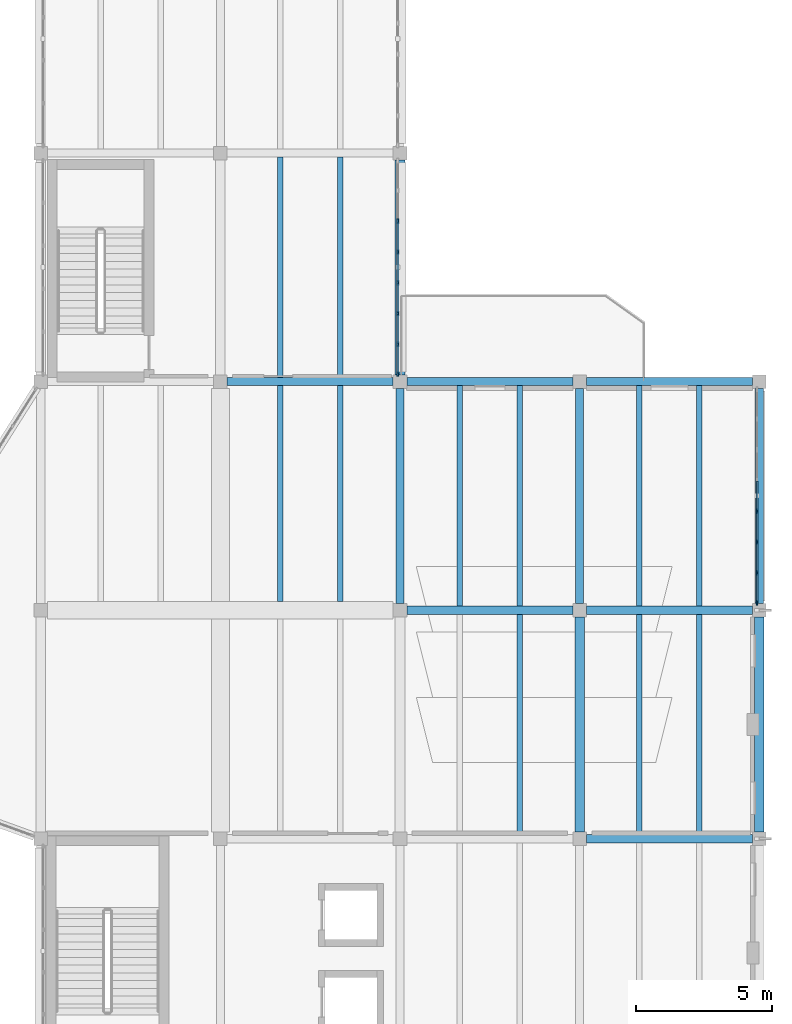
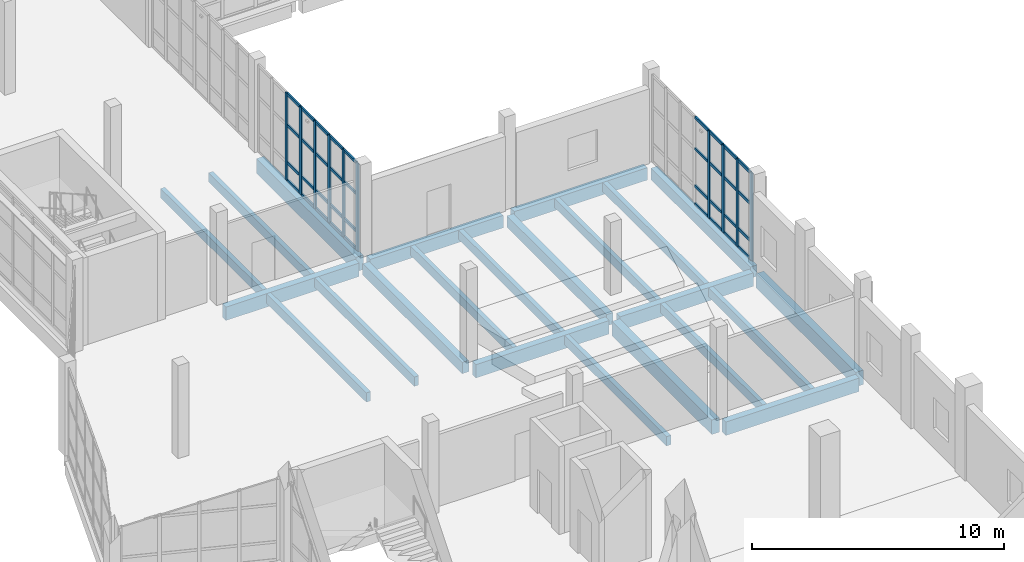
# One storey, part 25 of 76: 46 members, 23 beams, 2 elements without a shape of their own.
"""IFC4 building model written with IfcOpenShell, lengths in metres."""

from ifc_helpers import new_model, si_unit, direction, frame, origin, origin_2d, place, context, subcontext, project, spatial, rectangle, extrude, material, material_profile, profile_set, type_object, element, aggregate, save


model = new_model("IFC4")

# Units and contexts
model_context = context("Model", 3, precision=1e-05, world=origin(), true_north=direction((0.0, 1.0)))
body_context = subcontext(model_context, "Body", "Model", "MODEL_VIEW")
ifc_project = project(units=[si_unit("LENGTHUNIT", "METRE"), si_unit("AREAUNIT", "SQUARE_METRE"), si_unit("VOLUMEUNIT", "CUBIC_METRE"), si_unit("PLANEANGLEUNIT", "RADIAN"), si_unit("MASSUNIT", "GRAM", prefix="KILO")], contexts=[model_context])

# Site, building, storey
site_placement = place(None, origin())
site = spatial("IfcSite", under=ifc_project, at=site_placement, CompositionType="ELEMENT")
building_placement = place(site_placement, origin())
building = spatial("IfcBuilding", under=site, at=building_placement, Name="Qaldarim Faculty of Natural and Applied Sciences", CompositionType="ELEMENT")
storey_placement = place(building_placement, frame((0.0, 0.0, 9.89990234375)))
storey = spatial("IfcBuildingStorey", under=building, at=storey_placement, Name="L02", CompositionType="ELEMENT", Elevation=9.89990234375)

# Beams
ifc_material_1 = material(Name="Concrete C40/50", Category="concrete")
ifc_material_profile_1 = material_profile(ifc_material_1, rectangle(XDim=0.300048828125, YDim=0.550048828125, at=origin_2d()), Name="RC-B300x550")
ifc_profile_set_1 = profile_set([ifc_material_profile_1], Name="Concrete C40/50")
beam_type_1 = type_object("IfcBeamType", Name="FloorBeam-RC300x550", PredefinedType="BEAM", material=ifc_profile_set_1)
for number, where, z_axis, x_axis, name in (
    (1, (165.0, 75.85009765625, -0.574951171875), (0.0, 1.0, 0.0), (-1.0, 0.0, 0.0), "Beam RC-B300x550 L01 X26/Y10-Y11"),
    (2, (171.60009765625, 75.85009765625, -0.574951171875), (0.0, 1.0, 0.0), (-1.0, 0.0, 0.0), "Beam RC-B300x550 L01 X27/Y10-Y11"),
    (3, (178.199951171875, 75.85009765625, -0.574951171875), (0.0, 1.0, 0.0), (-1.0, 0.0, 0.0), "Beam RC-B300x550 L01 X28/Y10-Y11"),
):
    element("IfcBeam", number, at=place(storey_placement, frame(where, z_axis=z_axis, x_axis=x_axis)), inside=storey, type_object=beam_type_1, Name=name, PredefinedType="BEAM", context=body_context, shape_type="SweptSolid", body=[
        extrude(rectangle(XDim=0.300048828125, YDim=0.550048828125, at=origin_2d()), origin(), (0.0, 0.0, 1.0), 7.89990234375),
    ])
ifc_material_profile_2 = material_profile(ifc_material_1, rectangle(XDim=0.199951171875, YDim=0.449951171875, at=origin_2d()), Name="RC-J200x450")
ifc_profile_set_2 = profile_set([ifc_material_profile_2], Name="Concrete C40/50")
beam_type_2 = type_object("IfcBeamType", Name="LabJoist-RC200x450", PredefinedType="JOIST", material=ifc_profile_set_2)
for number, where, z_axis, x_axis, name in (
    (4, (160.60009765625, 75.925048828125, -0.52490234375), (0.0, 1.0, 0.0), (-1.0, 0.0, 0.0), "Laboratory joist L01 bay X25Y10-1"),
    (5, (162.800048828125, 75.925048828125, -0.52490234375), (0.0, 1.0, 0.0), (-1.0, 0.0, 0.0), "Laboratory joist L01 bay X25Y10-2"),
):
    element("IfcBeam", number, at=place(storey_placement, frame(where, z_axis=z_axis, x_axis=x_axis)), inside=storey, type_object=beam_type_2, Name=name, PredefinedType="JOIST", context=body_context, shape_type="SweptSolid", body=[
        extrude(rectangle(XDim=0.199951171875, YDim=0.449951171875, at=origin_2d()), origin(), (0.0, 0.0, 1.0), 7.925048828125),
    ])
for number, where, z_axis, x_axis, name in (
    (6, (160.60009765625, 84.14990234375, -0.52490234375), (0.0, 1.0, 0.0), (-1.0, 0.0, 0.0), "Laboratory joist L01 bay X25Y11-1"),
    (7, (162.800048828125, 84.14990234375, -0.52490234375), (0.0, 1.0, 0.0), (-1.0, 0.0, 0.0), "Laboratory joist L01 bay X25Y11-2"),
):
    element("IfcBeam", number, at=place(storey_placement, frame(where, z_axis=z_axis, x_axis=x_axis)), inside=storey, type_object=beam_type_2, Name=name, PredefinedType="JOIST", context=body_context, shape_type="SweptSolid", body=[
        extrude(rectangle(XDim=0.199951171875, YDim=0.449951171875, at=origin_2d()), origin(), (0.0, 0.0, 1.0), 8.10009765625),
    ])
beam_1_placement = place(storey_placement, frame((169.39990234375, 67.35009765625, -0.52490234375), z_axis=(0.0, 1.0, 0.0), x_axis=(-1.0, 0.0, 0.0)))
element("IfcBeam", 8, at=beam_1_placement, inside=storey, type_object=beam_type_2, Name="Laboratory joist L01 bay X26Y09-2", PredefinedType="JOIST", context=body_context, shape_type="SweptSolid", body=[
    extrude(rectangle(XDim=0.199951171875, YDim=0.449951171875, at=origin_2d()), origin(), (0.0, 0.0, 1.0), 8.099853515625),
])
for number, where, z_axis, x_axis, name in (
    (9, (167.199951171875, 75.75, -0.52490234375), (0.0, 1.0, 0.0), (-1.0, 0.0, 0.0), "Laboratory joist L01 bay X26Y10-1"),
    (10, (169.39990234375, 75.75, -0.52490234375), (0.0, 1.0, 0.0), (-1.0, 0.0, 0.0), "Laboratory joist L01 bay X26Y10-2"),
):
    element("IfcBeam", number, at=place(storey_placement, frame(where, z_axis=z_axis, x_axis=x_axis)), inside=storey, type_object=beam_type_2, Name=name, PredefinedType="JOIST", context=body_context, shape_type="SweptSolid", body=[
        extrude(rectangle(XDim=0.199951171875, YDim=0.449951171875, at=origin_2d()), origin(), (0.0, 0.0, 1.0), 8.10009765625),
    ])
for number, where, z_axis, x_axis, name in (
    (11, (173.800048828125, 67.35009765625, -0.52490234375), (0.0, 1.0, 0.0), (-1.0, 0.0, 0.0), "Laboratory joist L01 bay X27Y09-1"),
    (12, (176.0, 67.35009765625, -0.52490234375), (0.0, 1.0, 0.0), (-1.0, 0.0, 0.0), "Laboratory joist L01 bay X27Y09-2"),
):
    element("IfcBeam", number, at=place(storey_placement, frame(where, z_axis=z_axis, x_axis=x_axis)), inside=storey, type_object=beam_type_2, Name=name, PredefinedType="JOIST", context=body_context, shape_type="SweptSolid", body=[
        extrude(rectangle(XDim=0.199951171875, YDim=0.449951171875, at=origin_2d()), origin(), (0.0, 0.0, 1.0), 8.099853515625),
    ])
for number, where, z_axis, x_axis, name in (
    (13, (173.800048828125, 75.75, -0.52490234375), (0.0, 1.0, 0.0), (-1.0, 0.0, 0.0), "Laboratory joist L01 bay X27Y10-1"),
    (14, (176.0, 75.75, -0.52490234375), (0.0, 1.0, 0.0), (-1.0, 0.0, 0.0), "Laboratory joist L01 bay X27Y10-2"),
):
    element("IfcBeam", number, at=place(storey_placement, frame(where, z_axis=z_axis, x_axis=x_axis)), inside=storey, type_object=beam_type_2, Name=name, PredefinedType="JOIST", context=body_context, shape_type="SweptSolid", body=[
        extrude(rectangle(XDim=0.199951171875, YDim=0.449951171875, at=origin_2d()), origin(), (0.0, 0.0, 1.0), 8.10009765625),
    ])

# Curtain wall, members
ifc_material_2 = material(Name="Anodised aluminium AW-6063", Category="aluminium")
curtain_wall_type = type_object("IfcCurtainWallType", Name="CurtainWallSystem-M1200", PredefinedType="USERDEFINED", material=ifc_material_2)
curtain_wall_1_placement = place(storey_placement, origin())
curtain_wall_1 = element("IfcCurtainWall", 15, at=curtain_wall_1_placement, inside=storey, type_object=curtain_wall_type, Name="Curtain wall CW-L02-E-X25Y11", ObjectType="STICK CURTAIN WALL", PredefinedType="USERDEFINED")
ifc_material_profile_3 = material_profile(ifc_material_2, rectangle(XDim=0.070068359375, YDim=0.179931640625, at=origin_2d()), Name="ALU-M70x180")
ifc_profile_set_3 = profile_set([ifc_material_profile_3], Name="Anodised aluminium AW-6063")
member_type_1 = type_object("IfcMemberType", Name="Mullion-ALU70x180", PredefinedType="MULLION", material=ifc_profile_set_3)
member_1_placement = place(storey_placement, frame((164.919921875, 84.280029296875, 0.0), z_axis=(0.0, 0.0, 1.0), x_axis=(-1.0, 0.0, 0.0)))
member_1 = element("IfcMember", 16, at=member_1_placement, type_object=member_type_1, Name="Mullion 1 of CW-L02-E-X25Y11", PredefinedType="MULLION", context=body_context, shape_type="SweptSolid", body=[
    extrude(rectangle(XDim=0.070068359375, YDim=0.179931640625, at=origin_2d()), origin(), (0.0, 0.0, 1.0), 4.239990234375),
])
member_2_placement = place(storey_placement, frame((164.919921875, 85.375, 0.0), z_axis=(0.0, 0.0, 1.0), x_axis=(-1.0, 0.0, 0.0)))
member_2 = element("IfcMember", 17, at=member_2_placement, type_object=member_type_1, Name="Mullion 2 of CW-L02-E-X25Y11", PredefinedType="MULLION", context=body_context, shape_type="SweptSolid", body=[
    extrude(rectangle(XDim=0.070068359375, YDim=0.179931640625, at=origin_2d()), origin(), (0.0, 0.0, 1.0), 4.239990234375),
])
member_3_placement = place(storey_placement, frame((164.919921875, 86.5048828125, 0.0), z_axis=(0.0, 0.0, 1.0), x_axis=(-1.0, 0.0, 0.0)))
member_3 = element("IfcMember", 18, at=member_3_placement, type_object=member_type_1, Name="Mullion 3 of CW-L02-E-X25Y11", PredefinedType="MULLION", context=body_context, shape_type="SweptSolid", body=[
    extrude(rectangle(XDim=0.070068359375, YDim=0.179931640625, at=origin_2d()), origin(), (0.0, 0.0, 1.0), 4.239990234375),
])
member_4_placement = place(storey_placement, frame((164.919921875, 87.635009765625, 0.0), z_axis=(0.0, 0.0, 1.0), x_axis=(-1.0, 0.0, 0.0)))
member_4 = element("IfcMember", 19, at=member_4_placement, type_object=member_type_1, Name="Mullion 4 of CW-L02-E-X25Y11", PredefinedType="MULLION", context=body_context, shape_type="SweptSolid", body=[
    extrude(rectangle(XDim=0.070068359375, YDim=0.179931640625, at=origin_2d()), origin(), (0.0, 0.0, 1.0), 4.239990234375),
])
member_5_placement = place(storey_placement, frame((164.919921875, 88.764892578125, 0.0), z_axis=(0.0, 0.0, 1.0), x_axis=(-1.0, 0.0, 0.0)))
member_5 = element("IfcMember", 20, at=member_5_placement, type_object=member_type_1, Name="Mullion 5 of CW-L02-E-X25Y11", PredefinedType="MULLION", context=body_context, shape_type="SweptSolid", body=[
    extrude(rectangle(XDim=0.070068359375, YDim=0.179931640625, at=origin_2d()), origin(), (0.0, 0.0, 1.0), 4.239990234375),
])
member_6_placement = place(storey_placement, frame((164.919921875, 89.89501953125, 0.0), z_axis=(0.0, 0.0, 1.0), x_axis=(-1.0, 0.0, 0.0)))
member_6 = element("IfcMember", 21, at=member_6_placement, type_object=member_type_1, Name="Mullion 6 of CW-L02-E-X25Y11", PredefinedType="MULLION", context=body_context, shape_type="SweptSolid", body=[
    extrude(rectangle(XDim=0.070068359375, YDim=0.179931640625, at=origin_2d()), origin(), (0.0, 0.0, 1.0), 4.239990234375),
])

curtain_wall_2_placement = place(storey_placement, origin())
curtain_wall_2 = element("IfcCurtainWall", 22, at=curtain_wall_2_placement, inside=storey, type_object=curtain_wall_type, Name="Curtain wall CW-L02-E-X27Y10", ObjectType="STICK CURTAIN WALL", PredefinedType="USERDEFINED")
member_7_placement = place(storey_placement, frame((178.1201171875, 75.8798828125, 0.0), z_axis=(0.0, 0.0, 1.0), x_axis=(-1.0, 0.0, 0.0)))
member_7 = element("IfcMember", 23, at=member_7_placement, type_object=member_type_1, Name="Mullion 1 of CW-L02-E-X27Y10", PredefinedType="MULLION", context=body_context, shape_type="SweptSolid", body=[
    extrude(rectangle(XDim=0.070068359375, YDim=0.179931640625, at=origin_2d()), origin(), (0.0, 0.0, 1.0), 4.239990234375),
])
member_8_placement = place(storey_placement, frame((178.1201171875, 76.97509765625, 0.0), z_axis=(0.0, 0.0, 1.0), x_axis=(-1.0, 0.0, 0.0)))
member_8 = element("IfcMember", 24, at=member_8_placement, type_object=member_type_1, Name="Mullion 2 of CW-L02-E-X27Y10", PredefinedType="MULLION", context=body_context, shape_type="SweptSolid", body=[
    extrude(rectangle(XDim=0.070068359375, YDim=0.179931640625, at=origin_2d()), origin(), (0.0, 0.0, 1.0), 4.239990234375),
])
member_9_placement = place(storey_placement, frame((178.1201171875, 78.10498046875, 0.0), z_axis=(0.0, 0.0, 1.0), x_axis=(-1.0, 0.0, 0.0)))
member_9 = element("IfcMember", 25, at=member_9_placement, type_object=member_type_1, Name="Mullion 3 of CW-L02-E-X27Y10", PredefinedType="MULLION", context=body_context, shape_type="SweptSolid", body=[
    extrude(rectangle(XDim=0.070068359375, YDim=0.179931640625, at=origin_2d()), origin(), (0.0, 0.0, 1.0), 4.239990234375),
])
member_10_placement = place(storey_placement, frame((178.1201171875, 79.235107421875, 0.0), z_axis=(0.0, 0.0, 1.0), x_axis=(-1.0, 0.0, 0.0)))
member_10 = element("IfcMember", 26, at=member_10_placement, type_object=member_type_1, Name="Mullion 4 of CW-L02-E-X27Y10", PredefinedType="MULLION", context=body_context, shape_type="SweptSolid", body=[
    extrude(rectangle(XDim=0.070068359375, YDim=0.179931640625, at=origin_2d()), origin(), (0.0, 0.0, 1.0), 4.239990234375),
])

# Beams
ifc_material_profile_4 = material_profile(ifc_material_1, rectangle(XDim=0.300048828125, YDim=0.64990234375, at=origin_2d()), Name="RC-B300x650")
ifc_profile_set_4 = profile_set([ifc_material_profile_4], Name="Concrete C40/50")
beam_type_3 = type_object("IfcBeamType", Name="PrimaryBeam-RC300x650", PredefinedType="BEAM", material=ifc_profile_set_4)
beam_2_placement = place(storey_placement, frame((171.85009765625, 67.199951171875, -0.625), z_axis=(1.0, 0.0, 0.0), x_axis=(0.0, 1.0, 0.0)))
element("IfcBeam", 27, at=beam_2_placement, inside=storey, type_object=beam_type_3, Name="Beam RC-B300x650 L01 X27-X28/Y09", PredefinedType="BEAM", context=body_context, shape_type="SweptSolid", body=[
    extrude(rectangle(XDim=0.300048828125, YDim=0.64990234375, at=origin_2d()), origin(), (0.0, 0.0, 1.0), 6.099853515625),
])
beam_3_placement = place(storey_placement, frame((165.25, 75.60009765625, -0.625), z_axis=(1.0, 0.0, 0.0), x_axis=(0.0, 1.0, 0.0)))
element("IfcBeam", 28, at=beam_3_placement, inside=storey, type_object=beam_type_3, Name="Beam RC-B300x650 L01 X26-X27/Y10", PredefinedType="BEAM", context=body_context, shape_type="SweptSolid", body=[
    extrude(rectangle(XDim=0.300048828125, YDim=0.64990234375, at=origin_2d()), origin(), (0.0, 0.0, 1.0), 6.10009765625),
])
beam_4_placement = place(storey_placement, frame((171.85009765625, 75.60009765625, -0.625), z_axis=(1.0, 0.0, 0.0), x_axis=(0.0, 1.0, 0.0)))
element("IfcBeam", 29, at=beam_4_placement, inside=storey, type_object=beam_type_3, Name="Beam RC-B300x650 L01 X27-X28/Y10", PredefinedType="BEAM", context=body_context, shape_type="SweptSolid", body=[
    extrude(rectangle(XDim=0.300048828125, YDim=0.64990234375, at=origin_2d()), origin(), (0.0, 0.0, 1.0), 6.099853515625),
])
beam_5_placement = place(storey_placement, frame((158.64990234375, 84.0, -0.625), z_axis=(1.0, 0.0, 0.0), x_axis=(0.0, 1.0, 0.0)))
element("IfcBeam", 30, at=beam_5_placement, inside=storey, type_object=beam_type_3, Name="Beam RC-B300x650 L01 X25-X26/Y11", PredefinedType="BEAM", context=body_context, shape_type="SweptSolid", body=[
    extrude(rectangle(XDim=0.300048828125, YDim=0.64990234375, at=origin_2d()), origin(), (0.0, 0.0, 1.0), 6.10009765625),
])
ifc_material_profile_5 = material_profile(ifc_material_1, rectangle(XDim=0.35009765625, YDim=0.699951171875, at=origin_2d()), Name="RC-B350x700")
ifc_profile_set_5 = profile_set([ifc_material_profile_5], Name="Concrete C40/50")
beam_type_4 = type_object("IfcBeamType", Name="PrimaryGirder-RC350x700", PredefinedType="BEAM", material=ifc_profile_set_5)
beam_6_placement = place(storey_placement, frame((165.0, 84.25, -0.64990234375), z_axis=(0.0, 1.0, 0.0), x_axis=(-1.0, 0.0, 0.0)))
element("IfcBeam", 31, at=beam_6_placement, inside=storey, type_object=beam_type_4, Name="Beam RC-B350x700 L01 X26/Y11-Y12", PredefinedType="BEAM", context=body_context, shape_type="SweptSolid", body=[
    extrude(rectangle(XDim=0.35009765625, YDim=0.699951171875, at=origin_2d()), origin(), (0.0, 0.0, 1.0), 7.89990234375),
])
for number, where, z_axis, x_axis, name in (
    (32, (171.60009765625, 67.449951171875, -0.64990234375), (0.0, 1.0, 0.0), (-1.0, 0.0, 0.0), "Beam RC-B350x700 L01 X27/Y09-Y10"),
    (33, (178.199951171875, 67.449951171875, -0.64990234375), (0.0, 1.0, 0.0), (-1.0, 0.0, 0.0), "Beam RC-B350x700 L01 X28/Y09-Y10"),
):
    element("IfcBeam", number, at=place(storey_placement, frame(where, z_axis=z_axis, x_axis=x_axis)), inside=storey, type_object=beam_type_4, Name=name, PredefinedType="BEAM", context=body_context, shape_type="SweptSolid", body=[
        extrude(rectangle(XDim=0.35009765625, YDim=0.699951171875, at=origin_2d()), origin(), (0.0, 0.0, 1.0), 7.900146484375),
    ])
ifc_material_3 = material(Name="Precast concrete C40/50", Category="concrete")
ifc_material_profile_6 = material_profile(ifc_material_3, rectangle(XDim=0.300048828125, YDim=0.60009765625, at=origin_2d()), Name="RC-SP300x600")
ifc_profile_set_6 = profile_set([ifc_material_profile_6], Name="Precast concrete C40/50")
beam_type_5 = type_object("IfcBeamType", Name="SpandrelBeam-RC300x600", PredefinedType="SPANDREL", material=ifc_profile_set_6)
beam_7_placement = place(storey_placement, frame((165.25, 84.0, -0.599853515625), z_axis=(1.0, 0.0, 0.0), x_axis=(0.0, 1.0, 0.0)))
element("IfcBeam", 34, at=beam_7_placement, inside=storey, type_object=beam_type_5, Name="Beam RC-SP300x600 L01 X26-X27/Y11", PredefinedType="SPANDREL", context=body_context, shape_type="SweptSolid", body=[
    extrude(rectangle(XDim=0.300048828125, YDim=0.60009765625, at=origin_2d()), origin(), (0.0, 0.0, 1.0), 6.10009765625),
])
beam_8_placement = place(storey_placement, frame((171.85009765625, 84.0, -0.599853515625), z_axis=(1.0, 0.0, 0.0), x_axis=(0.0, 1.0, 0.0)))
element("IfcBeam", 35, at=beam_8_placement, inside=storey, type_object=beam_type_5, Name="Beam RC-SP300x600 L01 X27-X28/Y11", PredefinedType="SPANDREL", context=body_context, shape_type="SweptSolid", body=[
    extrude(rectangle(XDim=0.300048828125, YDim=0.60009765625, at=origin_2d()), origin(), (0.0, 0.0, 1.0), 6.099853515625),
])

# Member
ifc_material_profile_7 = material_profile(ifc_material_2, rectangle(XDim=0.070068359375, YDim=0.139892578125, at=origin_2d()), Name="ALU-T70x140")
ifc_profile_set_7 = profile_set([ifc_material_profile_7], Name="Anodised aluminium AW-6063")
member_type_2 = type_object("IfcMemberType", Name="Transom-ALU70x140", PredefinedType="USERDEFINED", material=ifc_profile_set_7)
member_11_placement = place(storey_placement, frame((164.919921875, 84.31494140625, 0.03515625), z_axis=(0.0, 1.0, 0.0), x_axis=(-1.0, 0.0, 0.0)))
member_11 = element("IfcMember", 36, at=member_11_placement, type_object=member_type_2, Name="Transom 1-1 of CW-L02-E-X25Y11", ObjectType="TRANSOM", PredefinedType="USERDEFINED", context=body_context, shape_type="SweptSolid", body=[
    extrude(rectangle(XDim=0.070068359375, YDim=0.139892578125, at=origin_2d()), origin(), (0.0, 0.0, 1.0), 1.025146484375),
])

member_12_placement = place(storey_placement, frame((164.919921875, 84.31494140625, 0.900146484375), z_axis=(0.0, 1.0, 0.0), x_axis=(-1.0, 0.0, 0.0)))
member_12 = element("IfcMember", 37, at=member_12_placement, type_object=member_type_2, Name="Transom 1-2 of CW-L02-E-X25Y11", ObjectType="TRANSOM", PredefinedType="USERDEFINED", context=body_context, shape_type="SweptSolid", body=[
    extrude(rectangle(XDim=0.070068359375, YDim=0.139892578125, at=origin_2d()), origin(), (0.0, 0.0, 1.0), 1.025146484375),
])

member_13_placement = place(storey_placement, frame((164.919921875, 84.31494140625, 2.7001953125), z_axis=(0.0, 1.0, 0.0), x_axis=(-1.0, 0.0, 0.0)))
member_13 = element("IfcMember", 38, at=member_13_placement, type_object=member_type_2, Name="Transom 1-3 of CW-L02-E-X25Y11", ObjectType="TRANSOM", PredefinedType="USERDEFINED", context=body_context, shape_type="SweptSolid", body=[
    extrude(rectangle(XDim=0.070068359375, YDim=0.139892578125, at=origin_2d()), origin(), (0.0, 0.0, 1.0), 1.025146484375),
])

member_14_placement = place(storey_placement, frame((164.919921875, 84.31494140625, 4.205078125), z_axis=(0.0, 1.0, 0.0), x_axis=(-1.0, 0.0, 0.0)))
member_14 = element("IfcMember", 39, at=member_14_placement, type_object=member_type_2, Name="Transom 1-4 of CW-L02-E-X25Y11", ObjectType="TRANSOM", PredefinedType="USERDEFINED", context=body_context, shape_type="SweptSolid", body=[
    extrude(rectangle(XDim=0.070068359375, YDim=0.139892578125, at=origin_2d()), origin(), (0.0, 0.0, 1.0), 1.025146484375),
])

member_15_placement = place(storey_placement, frame((164.919921875, 85.409912109375, 0.03515625), z_axis=(0.0, 1.0, 0.0), x_axis=(-1.0, 0.0, 0.0)))
member_15 = element("IfcMember", 40, at=member_15_placement, type_object=member_type_2, Name="Transom 2-1 of CW-L02-E-X25Y11", ObjectType="TRANSOM", PredefinedType="USERDEFINED", context=body_context, shape_type="SweptSolid", body=[
    extrude(rectangle(XDim=0.070068359375, YDim=0.139892578125, at=origin_2d()), origin(), (0.0, 0.0, 1.0), 1.06005859375),
])

member_16_placement = place(storey_placement, frame((164.919921875, 85.409912109375, 0.900146484375), z_axis=(0.0, 1.0, 0.0), x_axis=(-1.0, 0.0, 0.0)))
member_16 = element("IfcMember", 41, at=member_16_placement, type_object=member_type_2, Name="Transom 2-2 of CW-L02-E-X25Y11", ObjectType="TRANSOM", PredefinedType="USERDEFINED", context=body_context, shape_type="SweptSolid", body=[
    extrude(rectangle(XDim=0.070068359375, YDim=0.139892578125, at=origin_2d()), origin(), (0.0, 0.0, 1.0), 1.06005859375),
])

member_17_placement = place(storey_placement, frame((164.919921875, 85.409912109375, 2.7001953125), z_axis=(0.0, 1.0, 0.0), x_axis=(-1.0, 0.0, 0.0)))
member_17 = element("IfcMember", 42, at=member_17_placement, type_object=member_type_2, Name="Transom 2-3 of CW-L02-E-X25Y11", ObjectType="TRANSOM", PredefinedType="USERDEFINED", context=body_context, shape_type="SweptSolid", body=[
    extrude(rectangle(XDim=0.070068359375, YDim=0.139892578125, at=origin_2d()), origin(), (0.0, 0.0, 1.0), 1.06005859375),
])

member_18_placement = place(storey_placement, frame((164.919921875, 85.409912109375, 4.205078125), z_axis=(0.0, 1.0, 0.0), x_axis=(-1.0, 0.0, 0.0)))
member_18 = element("IfcMember", 43, at=member_18_placement, type_object=member_type_2, Name="Transom 2-4 of CW-L02-E-X25Y11", ObjectType="TRANSOM", PredefinedType="USERDEFINED", context=body_context, shape_type="SweptSolid", body=[
    extrude(rectangle(XDim=0.070068359375, YDim=0.139892578125, at=origin_2d()), origin(), (0.0, 0.0, 1.0), 1.06005859375),
])

member_19_placement = place(storey_placement, frame((164.919921875, 86.5400390625, 0.03515625), z_axis=(0.0, 1.0, 0.0), x_axis=(-1.0, 0.0, 0.0)))
member_19 = element("IfcMember", 44, at=member_19_placement, type_object=member_type_2, Name="Transom 3-1 of CW-L02-E-X25Y11", ObjectType="TRANSOM", PredefinedType="USERDEFINED", context=body_context, shape_type="SweptSolid", body=[
    extrude(rectangle(XDim=0.070068359375, YDim=0.139892578125, at=origin_2d()), origin(), (0.0, 0.0, 1.0), 1.06005859375),
])

member_20_placement = place(storey_placement, frame((164.919921875, 86.5400390625, 0.900146484375), z_axis=(0.0, 1.0, 0.0), x_axis=(-1.0, 0.0, 0.0)))
member_20 = element("IfcMember", 45, at=member_20_placement, type_object=member_type_2, Name="Transom 3-2 of CW-L02-E-X25Y11", ObjectType="TRANSOM", PredefinedType="USERDEFINED", context=body_context, shape_type="SweptSolid", body=[
    extrude(rectangle(XDim=0.070068359375, YDim=0.139892578125, at=origin_2d()), origin(), (0.0, 0.0, 1.0), 1.06005859375),
])

member_21_placement = place(storey_placement, frame((164.919921875, 86.5400390625, 2.7001953125), z_axis=(0.0, 1.0, 0.0), x_axis=(-1.0, 0.0, 0.0)))
member_21 = element("IfcMember", 46, at=member_21_placement, type_object=member_type_2, Name="Transom 3-3 of CW-L02-E-X25Y11", ObjectType="TRANSOM", PredefinedType="USERDEFINED", context=body_context, shape_type="SweptSolid", body=[
    extrude(rectangle(XDim=0.070068359375, YDim=0.139892578125, at=origin_2d()), origin(), (0.0, 0.0, 1.0), 1.06005859375),
])

member_22_placement = place(storey_placement, frame((164.919921875, 86.5400390625, 4.205078125), z_axis=(0.0, 1.0, 0.0), x_axis=(-1.0, 0.0, 0.0)))
member_22 = element("IfcMember", 47, at=member_22_placement, type_object=member_type_2, Name="Transom 3-4 of CW-L02-E-X25Y11", ObjectType="TRANSOM", PredefinedType="USERDEFINED", context=body_context, shape_type="SweptSolid", body=[
    extrude(rectangle(XDim=0.070068359375, YDim=0.139892578125, at=origin_2d()), origin(), (0.0, 0.0, 1.0), 1.06005859375),
])

member_23_placement = place(storey_placement, frame((164.919921875, 87.669921875, 0.03515625), z_axis=(0.0, 1.0, 0.0), x_axis=(-1.0, 0.0, 0.0)))
member_23 = element("IfcMember", 48, at=member_23_placement, type_object=member_type_2, Name="Transom 4-1 of CW-L02-E-X25Y11", ObjectType="TRANSOM", PredefinedType="USERDEFINED", context=body_context, shape_type="SweptSolid", body=[
    extrude(rectangle(XDim=0.070068359375, YDim=0.139892578125, at=origin_2d()), origin(), (0.0, 0.0, 1.0), 1.06005859375),
])

member_24_placement = place(storey_placement, frame((164.919921875, 87.669921875, 0.900146484375), z_axis=(0.0, 1.0, 0.0), x_axis=(-1.0, 0.0, 0.0)))
member_24 = element("IfcMember", 49, at=member_24_placement, type_object=member_type_2, Name="Transom 4-2 of CW-L02-E-X25Y11", ObjectType="TRANSOM", PredefinedType="USERDEFINED", context=body_context, shape_type="SweptSolid", body=[
    extrude(rectangle(XDim=0.070068359375, YDim=0.139892578125, at=origin_2d()), origin(), (0.0, 0.0, 1.0), 1.06005859375),
])

member_25_placement = place(storey_placement, frame((164.919921875, 87.669921875, 2.7001953125), z_axis=(0.0, 1.0, 0.0), x_axis=(-1.0, 0.0, 0.0)))
member_25 = element("IfcMember", 50, at=member_25_placement, type_object=member_type_2, Name="Transom 4-3 of CW-L02-E-X25Y11", ObjectType="TRANSOM", PredefinedType="USERDEFINED", context=body_context, shape_type="SweptSolid", body=[
    extrude(rectangle(XDim=0.070068359375, YDim=0.139892578125, at=origin_2d()), origin(), (0.0, 0.0, 1.0), 1.06005859375),
])

member_26_placement = place(storey_placement, frame((164.919921875, 87.669921875, 4.205078125), z_axis=(0.0, 1.0, 0.0), x_axis=(-1.0, 0.0, 0.0)))
member_26 = element("IfcMember", 51, at=member_26_placement, type_object=member_type_2, Name="Transom 4-4 of CW-L02-E-X25Y11", ObjectType="TRANSOM", PredefinedType="USERDEFINED", context=body_context, shape_type="SweptSolid", body=[
    extrude(rectangle(XDim=0.070068359375, YDim=0.139892578125, at=origin_2d()), origin(), (0.0, 0.0, 1.0), 1.06005859375),
])

member_27_placement = place(storey_placement, frame((164.919921875, 88.800048828125, 0.03515625), z_axis=(0.0, 1.0, 0.0), x_axis=(-1.0, 0.0, 0.0)))
member_27 = element("IfcMember", 52, at=member_27_placement, type_object=member_type_2, Name="Transom 5-1 of CW-L02-E-X25Y11", ObjectType="TRANSOM", PredefinedType="USERDEFINED", context=body_context, shape_type="SweptSolid", body=[
    extrude(rectangle(XDim=0.070068359375, YDim=0.139892578125, at=origin_2d()), origin(), (0.0, 0.0, 1.0), 1.06005859375),
])

member_28_placement = place(storey_placement, frame((164.919921875, 88.800048828125, 0.900146484375), z_axis=(0.0, 1.0, 0.0), x_axis=(-1.0, 0.0, 0.0)))
member_28 = element("IfcMember", 53, at=member_28_placement, type_object=member_type_2, Name="Transom 5-2 of CW-L02-E-X25Y11", ObjectType="TRANSOM", PredefinedType="USERDEFINED", context=body_context, shape_type="SweptSolid", body=[
    extrude(rectangle(XDim=0.070068359375, YDim=0.139892578125, at=origin_2d()), origin(), (0.0, 0.0, 1.0), 1.06005859375),
])

member_29_placement = place(storey_placement, frame((164.919921875, 88.800048828125, 2.7001953125), z_axis=(0.0, 1.0, 0.0), x_axis=(-1.0, 0.0, 0.0)))
member_29 = element("IfcMember", 54, at=member_29_placement, type_object=member_type_2, Name="Transom 5-3 of CW-L02-E-X25Y11", ObjectType="TRANSOM", PredefinedType="USERDEFINED", context=body_context, shape_type="SweptSolid", body=[
    extrude(rectangle(XDim=0.070068359375, YDim=0.139892578125, at=origin_2d()), origin(), (0.0, 0.0, 1.0), 1.06005859375),
])

member_30_placement = place(storey_placement, frame((164.919921875, 88.800048828125, 4.205078125), z_axis=(0.0, 1.0, 0.0), x_axis=(-1.0, 0.0, 0.0)))
member_30 = element("IfcMember", 55, at=member_30_placement, type_object=member_type_2, Name="Transom 5-4 of CW-L02-E-X25Y11", ObjectType="TRANSOM", PredefinedType="USERDEFINED", context=body_context, shape_type="SweptSolid", body=[
    extrude(rectangle(XDim=0.070068359375, YDim=0.139892578125, at=origin_2d()), origin(), (0.0, 0.0, 1.0), 1.06005859375),
])

aggregate(curtain_wall_1, [member_1, member_2, member_3, member_4, member_5, member_6, member_11, member_12, member_13, member_14, member_15, member_16, member_17, member_18, member_19, member_20, member_21, member_22, member_23, member_24, member_25, member_26, member_27, member_28, member_29, member_30])

member_31_placement = place(storey_placement, frame((178.1201171875, 75.9150390625, 0.03515625), z_axis=(0.0, 1.0, 0.0), x_axis=(-1.0, 0.0, 0.0)))
member_31 = element("IfcMember", 56, at=member_31_placement, type_object=member_type_2, Name="Transom 1-1 of CW-L02-E-X27Y10", ObjectType="TRANSOM", PredefinedType="USERDEFINED", context=body_context, shape_type="SweptSolid", body=[
    extrude(rectangle(XDim=0.070068359375, YDim=0.139892578125, at=origin_2d()), origin(), (0.0, 0.0, 1.0), 1.02490234375),
])

member_32_placement = place(storey_placement, frame((178.1201171875, 75.9150390625, 0.900146484375), z_axis=(0.0, 1.0, 0.0), x_axis=(-1.0, 0.0, 0.0)))
member_32 = element("IfcMember", 57, at=member_32_placement, type_object=member_type_2, Name="Transom 1-2 of CW-L02-E-X27Y10", ObjectType="TRANSOM", PredefinedType="USERDEFINED", context=body_context, shape_type="SweptSolid", body=[
    extrude(rectangle(XDim=0.070068359375, YDim=0.139892578125, at=origin_2d()), origin(), (0.0, 0.0, 1.0), 1.02490234375),
])

member_33_placement = place(storey_placement, frame((178.1201171875, 75.9150390625, 2.7001953125), z_axis=(0.0, 1.0, 0.0), x_axis=(-1.0, 0.0, 0.0)))
member_33 = element("IfcMember", 58, at=member_33_placement, type_object=member_type_2, Name="Transom 1-3 of CW-L02-E-X27Y10", ObjectType="TRANSOM", PredefinedType="USERDEFINED", context=body_context, shape_type="SweptSolid", body=[
    extrude(rectangle(XDim=0.070068359375, YDim=0.139892578125, at=origin_2d()), origin(), (0.0, 0.0, 1.0), 1.02490234375),
])

member_34_placement = place(storey_placement, frame((178.1201171875, 75.9150390625, 4.205078125), z_axis=(0.0, 1.0, 0.0), x_axis=(-1.0, 0.0, 0.0)))
member_34 = element("IfcMember", 59, at=member_34_placement, type_object=member_type_2, Name="Transom 1-4 of CW-L02-E-X27Y10", ObjectType="TRANSOM", PredefinedType="USERDEFINED", context=body_context, shape_type="SweptSolid", body=[
    extrude(rectangle(XDim=0.070068359375, YDim=0.139892578125, at=origin_2d()), origin(), (0.0, 0.0, 1.0), 1.02490234375),
])

member_35_placement = place(storey_placement, frame((178.1201171875, 77.010009765625, 0.03515625), z_axis=(0.0, 1.0, 0.0), x_axis=(-1.0, 0.0, 0.0)))
member_35 = element("IfcMember", 60, at=member_35_placement, type_object=member_type_2, Name="Transom 2-1 of CW-L02-E-X27Y10", ObjectType="TRANSOM", PredefinedType="USERDEFINED", context=body_context, shape_type="SweptSolid", body=[
    extrude(rectangle(XDim=0.070068359375, YDim=0.139892578125, at=origin_2d()), origin(), (0.0, 0.0, 1.0), 1.06005859375),
])

member_36_placement = place(storey_placement, frame((178.1201171875, 77.010009765625, 0.900146484375), z_axis=(0.0, 1.0, 0.0), x_axis=(-1.0, 0.0, 0.0)))
member_36 = element("IfcMember", 61, at=member_36_placement, type_object=member_type_2, Name="Transom 2-2 of CW-L02-E-X27Y10", ObjectType="TRANSOM", PredefinedType="USERDEFINED", context=body_context, shape_type="SweptSolid", body=[
    extrude(rectangle(XDim=0.070068359375, YDim=0.139892578125, at=origin_2d()), origin(), (0.0, 0.0, 1.0), 1.06005859375),
])

member_37_placement = place(storey_placement, frame((178.1201171875, 77.010009765625, 2.7001953125), z_axis=(0.0, 1.0, 0.0), x_axis=(-1.0, 0.0, 0.0)))
member_37 = element("IfcMember", 62, at=member_37_placement, type_object=member_type_2, Name="Transom 2-3 of CW-L02-E-X27Y10", ObjectType="TRANSOM", PredefinedType="USERDEFINED", context=body_context, shape_type="SweptSolid", body=[
    extrude(rectangle(XDim=0.070068359375, YDim=0.139892578125, at=origin_2d()), origin(), (0.0, 0.0, 1.0), 1.06005859375),
])

member_38_placement = place(storey_placement, frame((178.1201171875, 77.010009765625, 4.205078125), z_axis=(0.0, 1.0, 0.0), x_axis=(-1.0, 0.0, 0.0)))
member_38 = element("IfcMember", 63, at=member_38_placement, type_object=member_type_2, Name="Transom 2-4 of CW-L02-E-X27Y10", ObjectType="TRANSOM", PredefinedType="USERDEFINED", context=body_context, shape_type="SweptSolid", body=[
    extrude(rectangle(XDim=0.070068359375, YDim=0.139892578125, at=origin_2d()), origin(), (0.0, 0.0, 1.0), 1.06005859375),
])

member_39_placement = place(storey_placement, frame((178.1201171875, 78.139892578125, 0.03515625), z_axis=(0.0, 1.0, 0.0), x_axis=(-1.0, 0.0, 0.0)))
member_39 = element("IfcMember", 64, at=member_39_placement, type_object=member_type_2, Name="Transom 3-1 of CW-L02-E-X27Y10", ObjectType="TRANSOM", PredefinedType="USERDEFINED", context=body_context, shape_type="SweptSolid", body=[
    extrude(rectangle(XDim=0.070068359375, YDim=0.139892578125, at=origin_2d()), origin(), (0.0, 0.0, 1.0), 1.06005859375),
])

member_40_placement = place(storey_placement, frame((178.1201171875, 78.139892578125, 0.900146484375), z_axis=(0.0, 1.0, 0.0), x_axis=(-1.0, 0.0, 0.0)))
member_40 = element("IfcMember", 65, at=member_40_placement, type_object=member_type_2, Name="Transom 3-2 of CW-L02-E-X27Y10", ObjectType="TRANSOM", PredefinedType="USERDEFINED", context=body_context, shape_type="SweptSolid", body=[
    extrude(rectangle(XDim=0.070068359375, YDim=0.139892578125, at=origin_2d()), origin(), (0.0, 0.0, 1.0), 1.06005859375),
])

member_41_placement = place(storey_placement, frame((178.1201171875, 78.139892578125, 2.7001953125), z_axis=(0.0, 1.0, 0.0), x_axis=(-1.0, 0.0, 0.0)))
member_41 = element("IfcMember", 66, at=member_41_placement, type_object=member_type_2, Name="Transom 3-3 of CW-L02-E-X27Y10", ObjectType="TRANSOM", PredefinedType="USERDEFINED", context=body_context, shape_type="SweptSolid", body=[
    extrude(rectangle(XDim=0.070068359375, YDim=0.139892578125, at=origin_2d()), origin(), (0.0, 0.0, 1.0), 1.06005859375),
])

member_42_placement = place(storey_placement, frame((178.1201171875, 78.139892578125, 4.205078125), z_axis=(0.0, 1.0, 0.0), x_axis=(-1.0, 0.0, 0.0)))
member_42 = element("IfcMember", 67, at=member_42_placement, type_object=member_type_2, Name="Transom 3-4 of CW-L02-E-X27Y10", ObjectType="TRANSOM", PredefinedType="USERDEFINED", context=body_context, shape_type="SweptSolid", body=[
    extrude(rectangle(XDim=0.070068359375, YDim=0.139892578125, at=origin_2d()), origin(), (0.0, 0.0, 1.0), 1.06005859375),
])

member_43_placement = place(storey_placement, frame((178.1201171875, 79.27001953125, 0.03515625), z_axis=(0.0, 1.0, 0.0), x_axis=(-1.0, 0.0, 0.0)))
member_43 = element("IfcMember", 68, at=member_43_placement, type_object=member_type_2, Name="Transom 4-1 of CW-L02-E-X27Y10", ObjectType="TRANSOM", PredefinedType="USERDEFINED", context=body_context, shape_type="SweptSolid", body=[
    extrude(rectangle(XDim=0.070068359375, YDim=0.139892578125, at=origin_2d()), origin(), (0.0, 0.0, 1.0), 1.06005859375),
])

member_44_placement = place(storey_placement, frame((178.1201171875, 79.27001953125, 0.900146484375), z_axis=(0.0, 1.0, 0.0), x_axis=(-1.0, 0.0, 0.0)))
member_44 = element("IfcMember", 69, at=member_44_placement, type_object=member_type_2, Name="Transom 4-2 of CW-L02-E-X27Y10", ObjectType="TRANSOM", PredefinedType="USERDEFINED", context=body_context, shape_type="SweptSolid", body=[
    extrude(rectangle(XDim=0.070068359375, YDim=0.139892578125, at=origin_2d()), origin(), (0.0, 0.0, 1.0), 1.06005859375),
])

member_45_placement = place(storey_placement, frame((178.1201171875, 79.27001953125, 2.7001953125), z_axis=(0.0, 1.0, 0.0), x_axis=(-1.0, 0.0, 0.0)))
member_45 = element("IfcMember", 70, at=member_45_placement, type_object=member_type_2, Name="Transom 4-3 of CW-L02-E-X27Y10", ObjectType="TRANSOM", PredefinedType="USERDEFINED", context=body_context, shape_type="SweptSolid", body=[
    extrude(rectangle(XDim=0.070068359375, YDim=0.139892578125, at=origin_2d()), origin(), (0.0, 0.0, 1.0), 1.06005859375),
])

member_46_placement = place(storey_placement, frame((178.1201171875, 79.27001953125, 4.205078125), z_axis=(0.0, 1.0, 0.0), x_axis=(-1.0, 0.0, 0.0)))
member_46 = element("IfcMember", 71, at=member_46_placement, type_object=member_type_2, Name="Transom 4-4 of CW-L02-E-X27Y10", ObjectType="TRANSOM", PredefinedType="USERDEFINED", context=body_context, shape_type="SweptSolid", body=[
    extrude(rectangle(XDim=0.070068359375, YDim=0.139892578125, at=origin_2d()), origin(), (0.0, 0.0, 1.0), 1.06005859375),
])

aggregate(curtain_wall_2, [member_7, member_8, member_9, member_10, member_31, member_32, member_33, member_34, member_35, member_36, member_37, member_38, member_39, member_40, member_41, member_42, member_43, member_44, member_45, member_46])

save(model, "model.ifc")
